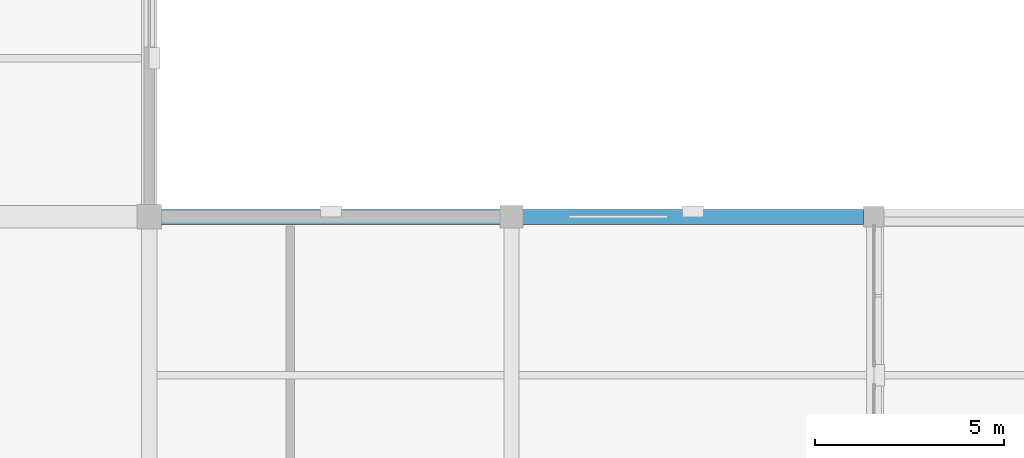
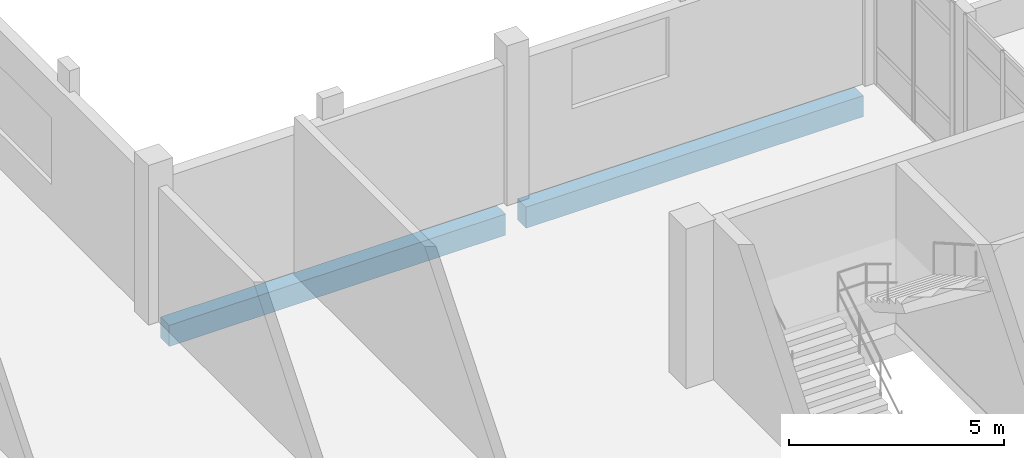
# One storey, part 72 of 102: 2 beams.
"""IFC4 building model written with IfcOpenShell, lengths in metres."""

from ifc_helpers import new_model, si_unit, direction, frame, origin, origin_2d, place, context, subcontext, project, spatial, rectangle, extrude, material, material_profile, profile_set, type_object, element, save


model = new_model("IFC4")

# Units and contexts
model_context = context("Model", 3, precision=1e-05, world=origin(), true_north=direction((0.0, 1.0)))
body_context = subcontext(model_context, "Body", "Model", "MODEL_VIEW")
ifc_project = project(units=[si_unit("LENGTHUNIT", "METRE"), si_unit("AREAUNIT", "SQUARE_METRE"), si_unit("VOLUMEUNIT", "CUBIC_METRE"), si_unit("PLANEANGLEUNIT", "RADIAN"), si_unit("MASSUNIT", "GRAM", prefix="KILO")], contexts=[model_context])

# Site, building, storey
site_placement = place(None, origin())
site = spatial("IfcSite", under=ifc_project, at=site_placement, CompositionType="ELEMENT")
building_placement = place(site_placement, origin())
building = spatial("IfcBuilding", under=site, at=building_placement, Name="Lornevale Opera House", CompositionType="ELEMENT")
storey_placement = place(building_placement, frame((0.0, 0.0, 5.39990234375)))
storey = spatial("IfcBuildingStorey", under=building, at=storey_placement, Name="L02", CompositionType="ELEMENT", Elevation=5.39990234375)

# Beams
ifc_material = material(Name="Concrete 35 MPa (CSA A23.1 N)", Category="concrete")
ifc_material_profile = material_profile(ifc_material, rectangle(XDim=0.39990234375, YDim=0.60009765625, at=origin_2d()), Name="RC400x600")
ifc_profile_set = profile_set([ifc_material_profile], Name="Concrete 35 MPa (CSA A23.1 N)")
beam_type = type_object("IfcBeamType", Name="Concrete Spandrel Beam 400x600", PredefinedType="SPANDREL", material=ifc_profile_set)
beam_1_placement = place(storey_placement, frame((125.10009765625, 84.0, -0.599853515625), z_axis=(1.0, 0.0, 0.0), x_axis=(0.0, 1.0, 0.0)))
element("IfcBeam", 1, at=beam_1_placement, inside=storey, type_object=beam_type, Name="Concrete Spandrel Beam 400x600 1789", PredefinedType="SPANDREL", context=body_context, shape_type="SweptSolid", body=[
    extrude(rectangle(XDim=0.39990234375, YDim=0.60009765625, at=origin_2d()), origin(), (0.0, 0.0, 1.0), 9.02490234375),
])
beam_2_placement = place(storey_placement, frame((134.675048828125, 84.0, -0.599853515625), z_axis=(1.0, 0.0, 0.0), x_axis=(0.0, 1.0, 0.0)))
element("IfcBeam", 2, at=beam_2_placement, inside=storey, type_object=beam_type, Name="Concrete Spandrel Beam 400x600 1790", PredefinedType="SPANDREL", context=body_context, shape_type="SweptSolid", body=[
    extrude(rectangle(XDim=0.39990234375, YDim=0.60009765625, at=origin_2d()), origin(), (0.0, 0.0, 1.0), 9.050048828125),
])

save(model, "model.ifc")
